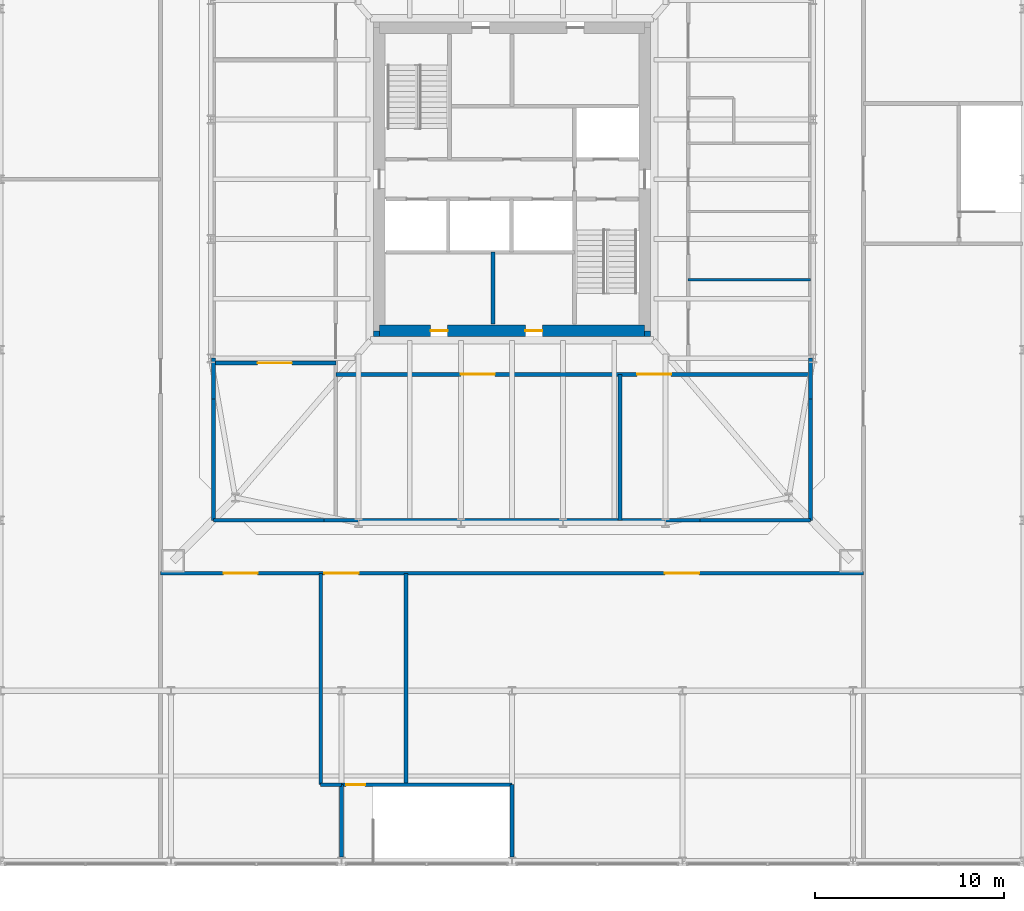
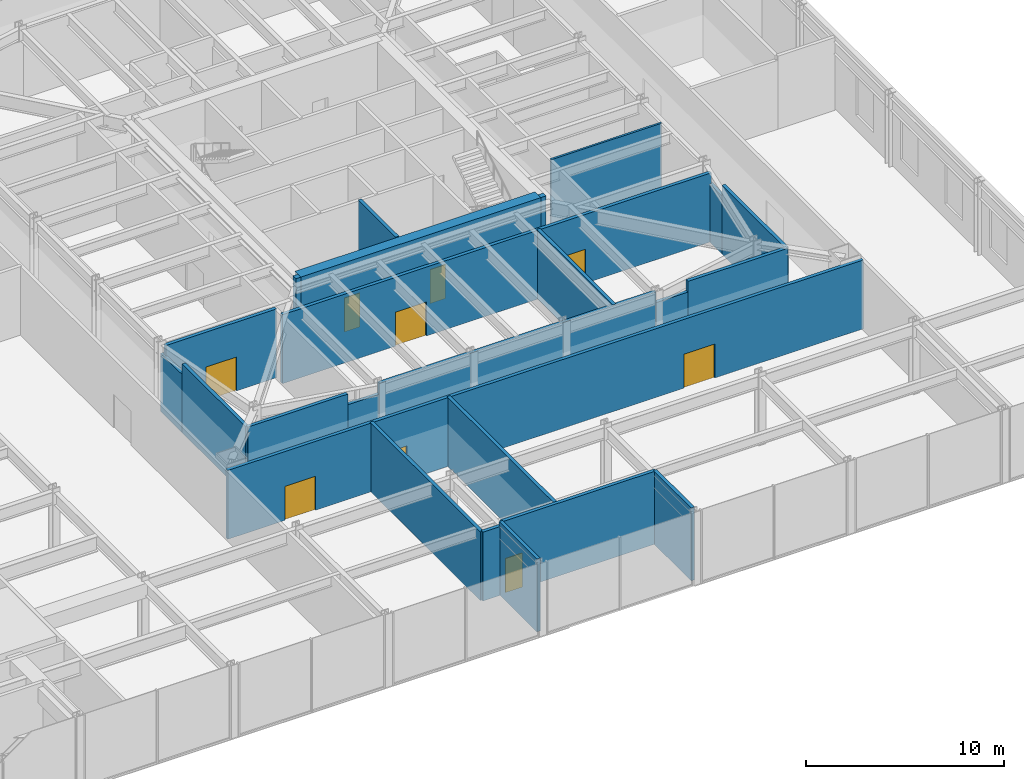
# One storey, part 23 of 30: 24 walls, 9 doors, 9 openings.
"""IFC4 building model written with IfcOpenShell, lengths in metres."""

from ifc_helpers import new_model, si_unit, direction, frame, frame_2d, origin, place, context, subcontext, project, spatial, rectangle, extrude, material, layer, layer_set, type_object, element, fill, save


model = new_model("IFC4")

# Units and contexts
model_context = context("Model", 3, precision=1e-05, world=origin(), true_north=direction((0.0, 1.0)))
body_context = subcontext(model_context, "Body", "Model", "MODEL_VIEW")
ifc_project = project(units=[si_unit("LENGTHUNIT", "METRE"), si_unit("AREAUNIT", "SQUARE_METRE"), si_unit("VOLUMEUNIT", "CUBIC_METRE"), si_unit("PLANEANGLEUNIT", "RADIAN"), si_unit("MASSUNIT", "GRAM", prefix="KILO")], contexts=[model_context])

# Site, building, storey
site_placement = place(None, origin())
site = spatial("IfcSite", under=ifc_project, at=site_placement, CompositionType="ELEMENT")
building_placement = place(site_placement, origin())
building = spatial("IfcBuilding", under=site, at=building_placement, Name="Iwan Alto Co-Living Towers", CompositionType="ELEMENT")
storey_placement = place(building_placement, frame((0.0, 0.0, 10.5)))
storey = spatial("IfcBuildingStorey", under=building, at=storey_placement, Name="L02", CompositionType="ELEMENT", Elevation=10.5)

# Wall
ifc_material_1 = material(Name="Concrete block masonry f*p 10 MPa", Category="masonry")
ifc_layer_1 = layer(ifc_material_1, 0.199951171875)
ifc_layer_set_1 = layer_set([ifc_layer_1], Name="PODIUM INTERNAL WALL 200")
wall_type_1 = type_object("IfcWallType", Name="PODIUM INTERNAL WALL 200", PredefinedType="SOLIDWALL", material=ifc_layer_set_1)
wall_1_placement = place(storey_placement, frame((52.89990234375, -31.9599609375, 0.0), z_axis=(0.0, 0.0, 1.0), x_axis=(1.0, 0.0, 0.0)))
element("IfcWall", 1, at=wall_1_placement, inside=storey, type_object=wall_type_1, Name="Partition L02", PredefinedType="SOLIDWALL", context=body_context, shape_type="SweptSolid", body=[
    extrude(rectangle(XDim=1.10009765625, YDim=0.199951171875, at=frame_2d((0.550048828125, 0.0))), origin(), (0.0, 0.0, 1.0), 4.25),
])

# Wall, openings, doors
wall_2_placement = place(storey_placement, frame((44.449951171875, -20.800048828125, 0.0), z_axis=(0.0, 0.0, 1.0), x_axis=(1.0, 0.0, 0.0)))
wall_2 = element("IfcWall", 2, at=wall_2_placement, inside=storey, type_object=wall_type_1, Name="Partition L02", PredefinedType="SOLIDWALL", context=body_context, shape_type="SweptSolid", body=[
    extrude(rectangle(XDim=37.10009765625, YDim=0.199951171875, at=frame_2d((18.550048828125, 0.0))), origin(), (0.0, 0.0, 1.0), 4.25),
])
opening_1_placement = place(wall_2_placement, frame((3.324951171875, 0.0, 0.0)))
opening_1 = element("IfcOpeningElement", 3, at=opening_1_placement, cuts=wall_2, Name="Opening D9", PredefinedType="OPENING", context=body_context, shape_type="SweptSolid", body=[
    extrude(rectangle(XDim=1.800048828125, YDim=2.10009765625, at=frame_2d((0.89990234375, 1.050048828125))), frame((0.0, 0.10986328125, 0.0), z_axis=(0.0, -1.0, 0.0), x_axis=(1.0, 0.0, 0.0)), (0.0, 0.0, 1.0), 0.219970703125),
])
opening_2_placement = place(wall_2_placement, frame((26.625, 0.0, 0.0)))
opening_2 = element("IfcOpeningElement", 4, at=opening_2_placement, cuts=wall_2, Name="Opening D9", PredefinedType="OPENING", context=body_context, shape_type="SweptSolid", body=[
    extrude(rectangle(XDim=1.800048828125, YDim=2.10009765625, at=frame_2d((0.89990234375, 1.050048828125))), frame((0.0, 0.10986328125, 0.0), z_axis=(0.0, -1.0, 0.0), x_axis=(1.0, 0.0, 0.0)), (0.0, 0.0, 1.0), 0.219970703125),
])
opening_3_placement = place(wall_2_placement, frame((8.64990234375, 0.0, 0.0)))
opening_3 = element("IfcOpeningElement", 5, at=opening_3_placement, cuts=wall_2, Name="Opening D9", PredefinedType="OPENING", context=body_context, shape_type="SweptSolid", body=[
    extrude(rectangle(XDim=1.800048828125, YDim=2.10009765625, at=frame_2d((0.89990234375, 1.050048828125))), frame((0.0, 0.10986328125, 0.0), z_axis=(0.0, -1.0, 0.0), x_axis=(1.0, 0.0, 0.0)), (0.0, 0.0, 1.0), 0.219970703125),
])
ifc_material_2 = material(Name="Steel frame with timber leaf", Category="steel")
door_type_1 = type_object("IfcDoorType", Name="LOUNGE DOOR FD30S 1800X2100", OperationType="DOUBLE_DOOR_SINGLE_SWING", PredefinedType="DOOR", material=ifc_material_2)
door_1_placement = place(opening_1_placement, frame((1.800048828125, 0.0, 0.0), z_axis=(0.0, 0.0, 1.0), x_axis=(-1.0, 0.0, 0.0)))
door_1 = element("IfcDoor", 6, at=door_1_placement, inside=storey, type_object=door_type_1, Name="Quiet study room door L02", OperationType="DOUBLE_DOOR_SINGLE_SWING", OverallHeight=2.10009765625, OverallWidth=1.800048828125, PredefinedType="DOOR", context=body_context, shape_type="SweptSolid", body=[
    extrude(rectangle(XDim=1.800048828125, YDim=2.10009765625, at=frame_2d((0.89990234375, 1.050048828125))), frame((0.0, 0.02490234375, 0.0), z_axis=(0.0, -1.0, 0.0), x_axis=(1.0, 0.0, 0.0)), (0.0, 0.0, 1.0), 0.050048828125),
])
fill(opening_1, door_1)
door_2_placement = place(opening_2_placement, frame((1.800048828125, 0.0, 0.0), z_axis=(0.0, 0.0, 1.0), x_axis=(-1.0, 0.0, 0.0)))
door_2 = element("IfcDoor", 7, at=door_2_placement, inside=storey, type_object=door_type_1, Name="Open-plan office door L02", OperationType="DOUBLE_DOOR_SINGLE_SWING", OverallHeight=2.10009765625, OverallWidth=1.800048828125, PredefinedType="DOOR", context=body_context, shape_type="SweptSolid", body=[
    extrude(rectangle(XDim=1.800048828125, YDim=2.10009765625, at=frame_2d((0.89990234375, 1.050048828125))), frame((0.0, 0.02490234375, 0.0), z_axis=(0.0, -1.0, 0.0), x_axis=(1.0, 0.0, 0.0)), (0.0, 0.0, 1.0), 0.050048828125),
])
fill(opening_2, door_2)
door_3_placement = place(opening_3_placement, frame((1.800048828125, 0.0, 0.0), z_axis=(0.0, 0.0, 1.0), x_axis=(-1.0, 0.0, 0.0)))
door_3 = element("IfcDoor", 8, at=door_3_placement, inside=storey, type_object=door_type_1, Name="Stair lobby door L02", OperationType="DOUBLE_DOOR_SINGLE_SWING", OverallHeight=2.10009765625, OverallWidth=1.800048828125, PredefinedType="DOOR", context=body_context, shape_type="SweptSolid", body=[
    extrude(rectangle(XDim=1.800048828125, YDim=2.10009765625, at=frame_2d((0.89990234375, 1.050048828125))), frame((0.0, 0.02490234375, 0.0), z_axis=(0.0, -1.0, 0.0), x_axis=(1.0, 0.0, 0.0)), (0.0, 0.0, 1.0), 0.050048828125),
])
fill(opening_3, door_3)

# Wall
wall_3_placement = place(storey_placement, frame((47.25, -18.0, 0.0), z_axis=(0.0, 0.0, 1.0), x_axis=(1.0, 0.0, 0.0)))
element("IfcWall", 9, at=wall_3_placement, inside=storey, type_object=wall_type_1, Name="Partition L02", PredefinedType="SOLIDWALL", context=body_context, shape_type="SweptSolid", body=[
    extrude(rectangle(XDim=5.823974609375, YDim=0.199951171875, at=frame_2d((2.912109375, 0.0))), origin(), (0.0, 0.0, 1.0), 4.25),
])

# Wall, openings, doors
wall_4_placement = place(storey_placement, frame((53.699951171875, -10.300048828125, 0.0), z_axis=(0.0, 0.0, 1.0), x_axis=(1.0, 0.0, 0.0)))
wall_4 = element("IfcWall", 10, at=wall_4_placement, inside=storey, type_object=wall_type_1, Name="Partition L02", PredefinedType="SOLIDWALL", context=body_context, shape_type="SweptSolid", body=[
    extrude(rectangle(XDim=25.050048828125, YDim=0.199951171875, at=frame_2d((12.52490234375, 0.0))), origin(), (0.0, 0.0, 1.0), 4.25),
])
opening_4_placement = place(wall_4_placement, frame((6.60009765625, 0.0, 0.0)))
opening_4 = element("IfcOpeningElement", 11, at=opening_4_placement, cuts=wall_4, Name="Opening D9", PredefinedType="OPENING", context=body_context, shape_type="SweptSolid", body=[
    extrude(rectangle(XDim=1.800048828125, YDim=2.10009765625, at=frame_2d((0.89990234375, 1.050048828125))), frame((0.0, 0.10986328125, 0.0), z_axis=(0.0, -1.0, 0.0), x_axis=(1.0, 0.0, 0.0)), (0.0, 0.0, 1.0), 0.219970703125),
])
opening_5_placement = place(wall_4_placement, frame((15.89990234375, 0.0, 0.0)))
opening_5 = element("IfcOpeningElement", 12, at=opening_5_placement, cuts=wall_4, Name="Opening D9", PredefinedType="OPENING", context=body_context, shape_type="SweptSolid", body=[
    extrude(rectangle(XDim=1.800048828125, YDim=2.10009765625, at=frame_2d((0.89990234375, 1.050048828125))), frame((0.0, 0.10986328125, 0.0), z_axis=(0.0, -1.0, 0.0), x_axis=(1.0, 0.0, 0.0)), (0.0, 0.0, 1.0), 0.219970703125),
])
door_4_placement = place(opening_4_placement, frame((1.800048828125, 0.0, 0.0), z_axis=(0.0, 0.0, 1.0), x_axis=(-1.0, 0.0, 0.0)))
door_4 = element("IfcDoor", 13, at=door_4_placement, inside=storey, type_object=door_type_1, Name="Co-working zone door L02", OperationType="DOUBLE_DOOR_SINGLE_SWING", OverallHeight=2.10009765625, OverallWidth=1.800048828125, PredefinedType="DOOR", context=body_context, shape_type="SweptSolid", body=[
    extrude(rectangle(XDim=1.800048828125, YDim=2.10009765625, at=frame_2d((0.89990234375, 1.050048828125))), frame((0.0, 0.02490234375, 0.0), z_axis=(0.0, -1.0, 0.0), x_axis=(1.0, 0.0, 0.0)), (0.0, 0.0, 1.0), 0.050048828125),
])
fill(opening_4, door_4)
door_5_placement = place(opening_5_placement, frame((1.800048828125, 0.0, 0.0), z_axis=(0.0, 0.0, 1.0), x_axis=(-1.0, 0.0, 0.0)))
door_5 = element("IfcDoor", 14, at=door_5_placement, inside=storey, type_object=door_type_1, Name="Meeting room door L02", OperationType="DOUBLE_DOOR_SINGLE_SWING", OverallHeight=2.10009765625, OverallWidth=1.800048828125, PredefinedType="DOOR", context=body_context, shape_type="SweptSolid", body=[
    extrude(rectangle(XDim=1.800048828125, YDim=2.10009765625, at=frame_2d((0.89990234375, 1.050048828125))), frame((0.0, 0.02490234375, 0.0), z_axis=(0.0, -1.0, 0.0), x_axis=(1.0, 0.0, 0.0)), (0.0, 0.0, 1.0), 0.050048828125),
])
fill(opening_5, door_5)

# Wall, opening, door
wall_5_placement = place(storey_placement, frame((47.25, -9.699951171875, 0.0), z_axis=(0.0, 0.0, 1.0), x_axis=(1.0, 0.0, 0.0)))
wall_5 = element("IfcWall", 15, at=wall_5_placement, inside=storey, type_object=wall_type_1, Name="Partition L02", PredefinedType="SOLIDWALL", context=body_context, shape_type="SweptSolid", body=[
    extrude(rectangle(XDim=6.449951171875, YDim=0.199951171875, at=frame_2d((3.22509765625, 0.0))), origin(), (0.0, 0.0, 1.0), 4.25),
])
opening_6_placement = place(wall_5_placement, frame((2.324951171875, 0.0, 0.0)))
opening_6 = element("IfcOpeningElement", 16, at=opening_6_placement, cuts=wall_5, Name="Opening D9", PredefinedType="OPENING", context=body_context, shape_type="SweptSolid", body=[
    extrude(rectangle(XDim=1.800048828125, YDim=2.10009765625, at=frame_2d((0.89990234375, 1.050048828125))), frame((0.0, 0.10986328125, 0.0), z_axis=(0.0, -1.0, 0.0), x_axis=(1.0, 0.0, 0.0)), (0.0, 0.0, 1.0), 0.219970703125),
])
door_6_placement = place(opening_6_placement, origin())
door_6 = element("IfcDoor", 17, at=door_6_placement, inside=storey, type_object=door_type_1, Name="Meeting room door L02", OperationType="DOUBLE_DOOR_SINGLE_SWING", OverallHeight=2.10009765625, OverallWidth=1.800048828125, PredefinedType="DOOR", context=body_context, shape_type="SweptSolid", body=[
    extrude(rectangle(XDim=1.800048828125, YDim=2.10009765625, at=frame_2d((0.89990234375, 1.050048828125))), frame((0.0, 0.02490234375, 0.0), z_axis=(0.0, -1.0, 0.0), x_axis=(1.0, 0.0, 0.0)), (0.0, 0.0, 1.0), 0.050048828125),
])
fill(opening_6, door_6)

# Walls
wall_6_placement = place(storey_placement, frame((78.75, -18.0, 0.0), z_axis=(0.0, 0.0, 1.0), x_axis=(0.0, 1.0, 0.0)))
element("IfcWall", 18, at=wall_6_placement, inside=storey, type_object=wall_type_1, Name="Partition L02", PredefinedType="SOLIDWALL", context=body_context, shape_type="SweptSolid", body=[
    extrude(rectangle(XDim=6.39794921875, YDim=0.199951171875, at=frame_2d((3.198974609375, 0.0))), origin(), (0.0, 0.0, 1.0), 4.25),
])
wall_7_placement = place(storey_placement, frame((68.699951171875, -18.0, 0.0), z_axis=(0.0, 0.0, 1.0), x_axis=(0.0, 1.0, 0.0)))
element("IfcWall", 19, at=wall_7_placement, inside=storey, type_object=wall_type_1, Name="Partition L02", PredefinedType="SOLIDWALL", context=body_context, shape_type="SweptSolid", body=[
    extrude(rectangle(XDim=7.699951171875, YDim=0.199951171875, at=frame_2d((3.85009765625, 0.0))), origin(), (0.0, 0.0, 1.0), 4.25),
])
for number, where, z_axis, x_axis, name in (
    (20, (57.39990234375, -31.9599609375, 0.0), (0.0, 0.0, 1.0), (0.0, 1.0, 0.0), "Partition L02"),
    (21, (52.89990234375, -31.9599609375, 0.0), (0.0, 0.0, 1.0), (0.0, 1.0, 0.0), "Partition L02"),
):
    element("IfcWall", number, at=place(storey_placement, frame(where, z_axis=z_axis, x_axis=x_axis)), inside=storey, type_object=wall_type_1, Name=name, PredefinedType="SOLIDWALL", context=body_context, shape_type="SweptSolid", body=[
        extrude(rectangle(XDim=11.159912109375, YDim=0.199951171875, at=frame_2d((5.580078125, 0.0))), origin(), (0.0, 0.0, 1.0), 4.25),
    ])
wall_8_placement = place(storey_placement, frame((47.25, -18.0, 0.0), z_axis=(0.0, 0.0, 1.0), x_axis=(0.0, 1.0, 0.0)))
element("IfcWall", 22, at=wall_8_placement, inside=storey, type_object=wall_type_1, Name="Partition L02", PredefinedType="SOLIDWALL", context=body_context, shape_type="SweptSolid", body=[
    extrude(rectangle(XDim=6.39794921875, YDim=0.199951171875, at=frame_2d((3.198974609375, 0.0))), origin(), (0.0, 0.0, 1.0), 4.25),
])
wall_9_placement = place(storey_placement, frame((53.073974609375, -18.0, 0.0), z_axis=(0.0, 0.0, 1.0), x_axis=(1.0, 0.0, 0.0)))
element("IfcWall", 23, at=wall_9_placement, inside=storey, type_object=wall_type_1, Name="Partition L02", PredefinedType="SOLIDWALL", context=body_context, shape_type="SweptSolid", body=[
    extrude(rectangle(XDim=1.85205078125, YDim=0.199951171875, at=frame_2d((0.926025390625, 0.0))), origin(), (0.0, 0.0, 1.0), 3.586669921875),
])
wall_10_placement = place(storey_placement, frame((54.926025390625, -18.0, 0.0), z_axis=(0.0, 0.0, 1.0), x_axis=(1.0, 0.0, 0.0)))
element("IfcWall", 24, at=wall_10_placement, inside=storey, type_object=wall_type_1, Name="Partition L02", PredefinedType="SOLIDWALL", context=body_context, shape_type="SweptSolid", body=[
    extrude(rectangle(XDim=16.14794921875, YDim=0.199951171875, at=frame_2d((8.073974609375, 0.0))), origin(), (0.0, 0.0, 1.0), 4.25),
])
wall_11_placement = place(storey_placement, frame((71.073974609375, -18.0, 0.0), z_axis=(0.0, 0.0, 1.0), x_axis=(1.0, 0.0, 0.0)))
element("IfcWall", 25, at=wall_11_placement, inside=storey, type_object=wall_type_1, Name="Partition L02", PredefinedType="SOLIDWALL", context=body_context, shape_type="SweptSolid", body=[
    extrude(rectangle(XDim=1.85205078125, YDim=0.199951171875, at=frame_2d((0.926025390625, 0.0))), origin(), (0.0, 0.0, 1.0), 3.586669921875),
])
wall_12_placement = place(storey_placement, frame((72.926025390625, -18.0, 0.0), z_axis=(0.0, 0.0, 1.0), x_axis=(1.0, 0.0, 0.0)))
element("IfcWall", 26, at=wall_12_placement, inside=storey, type_object=wall_type_1, Name="Partition L02", PredefinedType="SOLIDWALL", context=body_context, shape_type="SweptSolid", body=[
    extrude(rectangle(XDim=5.823974609375, YDim=0.199951171875, at=frame_2d((2.912109375, 0.0))), origin(), (0.0, 0.0, 1.0), 4.25),
])
for number, where, z_axis, x_axis, name in (
    (27, (78.75, -11.60205078125, 0.0), (0.0, 0.0, 1.0), (0.0, 1.0, 0.0), "Partition L02"),
    (28, (47.25, -11.60205078125, 0.0), (0.0, 0.0, 1.0), (0.0, 1.0, 0.0), "Partition L02"),
):
    element("IfcWall", number, at=place(storey_placement, frame(where, z_axis=z_axis, x_axis=x_axis)), inside=storey, type_object=wall_type_1, Name=name, PredefinedType="SOLIDWALL", context=body_context, shape_type="SweptSolid", body=[
        extrude(rectangle(XDim=2.174072265625, YDim=0.199951171875, at=frame_2d((1.0869140625, 0.0))), origin(), (0.0, 0.0, 1.0), 3.586669921875),
    ])

# Wall, opening, door
ifc_material_3 = material(Name="Concrete f'c 70 MPa", Category="concrete")
ifc_layer_2 = layer(ifc_material_3, 0.199951171875)
ifc_layer_set_2 = layer_set([ifc_layer_2], Name="SHAFT WALL 200")
wall_type_2 = type_object("IfcWallType", Name="SHAFT WALL 200", PredefinedType="SOLIDWALL", material=ifc_layer_set_2)
wall_13_placement = place(storey_placement, frame((54.0, -31.9599609375, 0.0), z_axis=(0.0, 0.0, 1.0), x_axis=(1.0, 0.0, 0.0)))
wall_13 = element("IfcWall", 29, at=wall_13_placement, inside=storey, type_object=wall_type_2, Name="Shaft wall L02", PredefinedType="SOLIDWALL", context=body_context, shape_type="SweptSolid", body=[
    extrude(rectangle(XDim=9.0, YDim=0.199951171875, at=frame_2d((4.5, 0.0))), origin(), (0.0, 0.0, 1.0), 4.5),
])
opening_7_placement = place(wall_13_placement, frame((0.25, 0.0, 0.0)))
opening_7 = element("IfcOpeningElement", 30, at=opening_7_placement, cuts=wall_13, Name="Opening D5", PredefinedType="OPENING", context=body_context, shape_type="SweptSolid", body=[
    extrude(rectangle(XDim=1.0, YDim=2.10009765625, at=frame_2d((0.5, 1.050048828125))), frame((0.0, 0.10986328125, 0.0), z_axis=(0.0, -1.0, 0.0), x_axis=(1.0, 0.0, 0.0)), (0.0, 0.0, 1.0), 0.219970703125),
])
ifc_material_4 = material(Name="Steel frame with timber leaf", Category="steel")
door_type_2 = type_object("IfcDoorType", Name="STAIR DOOR FD120S 1000X2100", OperationType="SINGLE_SWING_LEFT", PredefinedType="DOOR", material=ifc_material_4)
door_7_placement = place(opening_7_placement, frame((1.0, 0.0, 0.0), z_axis=(0.0, 0.0, 1.0), x_axis=(-1.0, 0.0, 0.0)))
door_7 = element("IfcDoor", 31, at=door_7_placement, inside=storey, type_object=door_type_2, Name="Stair PS6 door L02", OperationType="SINGLE_SWING_RIGHT", OverallHeight=2.10009765625, OverallWidth=1.0, PredefinedType="DOOR", context=body_context, shape_type="SweptSolid", body=[
    extrude(rectangle(XDim=1.0, YDim=2.10009765625, at=frame_2d((0.5, 1.050048828125))), frame((0.0, 0.02490234375, 0.0), z_axis=(0.0, -1.0, 0.0), x_axis=(1.0, 0.0, 0.0)), (0.0, 0.0, 1.0), 0.050048828125),
])
fill(opening_7, door_7)

# Walls
wall_14_placement = place(storey_placement, frame((63.0, -35.78271484375, 0.0), z_axis=(0.0, 0.0, 1.0), x_axis=(0.0, 1.0, 0.0)))
element("IfcWall", 32, at=wall_14_placement, inside=storey, type_object=wall_type_2, Name="Shaft wall L02", PredefinedType="SOLIDWALL", context=body_context, shape_type="SweptSolid", body=[
    extrude(rectangle(XDim=3.82275390625, YDim=0.199951171875, at=frame_2d((1.911376953125, 0.0))), origin(), (0.0, 0.0, 1.0), 4.5),
])
wall_15_placement = place(storey_placement, frame((62.0, -7.639892578125, 0.0), z_axis=(0.0, 0.0, 1.0), x_axis=(0.0, 1.0, 0.0)))
element("IfcWall", 33, at=wall_15_placement, inside=storey, type_object=wall_type_2, Name="Shaft wall L02", PredefinedType="SOLIDWALL", context=body_context, shape_type="SweptSolid", body=[
    extrude(rectangle(XDim=3.789794921875, YDim=0.199951171875, at=frame_2d((1.89501953125, 0.0))), origin(), (0.0, 0.0, 1.0), 4.5),
])
wall_16_placement = place(storey_placement, frame((54.0, -35.78271484375, 0.0), z_axis=(0.0, 0.0, 1.0), x_axis=(0.0, 1.0, 0.0)))
element("IfcWall", 34, at=wall_16_placement, inside=storey, type_object=wall_type_2, Name="Shaft wall L02", PredefinedType="SOLIDWALL", context=body_context, shape_type="SweptSolid", body=[
    extrude(rectangle(XDim=3.82275390625, YDim=0.199951171875, at=frame_2d((1.911376953125, 0.0))), origin(), (0.0, 0.0, 1.0), 4.5),
])
ifc_material_5 = material(Name="Concrete f'c 70 MPa", Category="concrete")
ifc_layer_3 = layer(ifc_material_5, 0.300048828125)
ifc_layer_set_3 = layer_set([ifc_layer_3], Name="T2 CORE CORNER FILL 300")
wall_type_3 = type_object("IfcWallType", Name="T2 CORE CORNER FILL 300", PredefinedType="SOLIDWALL", material=ifc_layer_set_3)
for number, where, z_axis, x_axis, name in (
    (35, (55.699951171875, -8.14990234375, 0.0), (0.0, 0.0, 1.0), (1.0, 0.0, 0.0), "T2 core corner SW L02"),
    (36, (70.0, -8.14990234375, 0.0), (0.0, 0.0, 1.0), (1.0, 0.0, 0.0), "T2 core corner SE L02"),
):
    element("IfcWall", number, at=place(storey_placement, frame(where, z_axis=z_axis, x_axis=x_axis)), inside=storey, type_object=wall_type_3, Name=name, PredefinedType="SOLIDWALL", context=body_context, shape_type="SweptSolid", body=[
        extrude(rectangle(XDim=0.300048828125, YDim=0.300048828125, at=frame_2d((0.14990234375, 0.0))), origin(), (0.0, 0.0, 1.0), 4.5),
    ])

# Wall, openings, doors
ifc_material_6 = material(Name="Concrete f'c 70 MPa", Category="concrete")
ifc_layer_4 = layer(ifc_material_6, 0.60009765625)
ifc_layer_set_4 = layer_set([ifc_layer_4], Name="T2 CORE WALL 600")
wall_type_4 = type_object("IfcWallType", Name="T2 CORE WALL 600", PredefinedType="SHEAR", material=ifc_layer_set_4)
wall_17_placement = place(storey_placement, frame((56.0, -8.0, 0.0), z_axis=(0.0, 0.0, 1.0), x_axis=(1.0, 0.0, 0.0)))
wall_17 = element("IfcWall", 37, at=wall_17_placement, inside=storey, type_object=wall_type_4, Name="T2 core wall S L02", PredefinedType="SHEAR", context=body_context, shape_type="SweptSolid", body=[
    extrude(rectangle(XDim=14.0, YDim=0.60009765625, at=frame_2d((7.0, 0.0))), origin(), (0.0, 0.0, 1.0), 4.5),
])
opening_8_placement = place(wall_17_placement, frame((2.699951171875, 0.0, 0.0)))
opening_8 = element("IfcOpeningElement", 38, at=opening_8_placement, cuts=wall_17, Name="Opening D8", PredefinedType="OPENING", context=body_context, shape_type="SweptSolid", body=[
    extrude(rectangle(XDim=0.89990234375, YDim=2.10009765625, at=frame_2d((0.449951171875, 1.050048828125))), frame((0.0, 0.31005859375, 0.0), z_axis=(0.0, -1.0, 0.0), x_axis=(1.0, 0.0, 0.0)), (0.0, 0.0, 1.0), 0.6201171875),
])
opening_9_placement = place(wall_17_placement, frame((7.699951171875, 0.0, 0.0)))
opening_9 = element("IfcOpeningElement", 39, at=opening_9_placement, cuts=wall_17, Name="Opening D8", PredefinedType="OPENING", context=body_context, shape_type="SweptSolid", body=[
    extrude(rectangle(XDim=0.89990234375, YDim=2.10009765625, at=frame_2d((0.449951171875, 1.050048828125))), frame((0.0, 0.31005859375, 0.0), z_axis=(0.0, -1.0, 0.0), x_axis=(1.0, 0.0, 0.0)), (0.0, 0.0, 1.0), 0.6201171875),
])
ifc_material_7 = material(Name="Steel frame with timber leaf", Category="steel")
door_type_3 = type_object("IfcDoorType", Name="RISER DOOR FD120 900X2100", OperationType="SINGLE_SWING_LEFT", PredefinedType="DOOR", material=ifc_material_7)
door_8_placement = place(opening_8_placement, origin())
door_8 = element("IfcDoor", 40, at=door_8_placement, inside=storey, type_object=door_type_3, Name="Refuse room core door L02", OperationType="SINGLE_SWING_LEFT", OverallHeight=2.10009765625, OverallWidth=0.89990234375, PredefinedType="DOOR", context=body_context, shape_type="SweptSolid", body=[
    extrude(rectangle(XDim=0.89990234375, YDim=2.10009765625, at=frame_2d((0.449951171875, 1.050048828125))), frame((0.0, 0.02490234375, 0.0), z_axis=(0.0, -1.0, 0.0), x_axis=(1.0, 0.0, 0.0)), (0.0, 0.0, 1.0), 0.050048828125),
])
fill(opening_8, door_8)
door_9_placement = place(opening_9_placement, origin())
door_9 = element("IfcDoor", 41, at=door_9_placement, inside=storey, type_object=door_type_3, Name="Telecom riser core door L02", OperationType="SINGLE_SWING_LEFT", OverallHeight=2.10009765625, OverallWidth=0.89990234375, PredefinedType="DOOR", context=body_context, shape_type="SweptSolid", body=[
    extrude(rectangle(XDim=0.89990234375, YDim=2.10009765625, at=frame_2d((0.449951171875, 1.050048828125))), frame((0.0, 0.02490234375, 0.0), z_axis=(0.0, -1.0, 0.0), x_axis=(1.0, 0.0, 0.0)), (0.0, 0.0, 1.0), 0.050048828125),
])
fill(opening_9, door_9)

# Wall
ifc_material_8 = material(Name="Cement board")
ifc_layer_5 = layer(ifc_material_8, 0.012451171875, Name="Board", Category="Finish")
ifc_material_9 = material(Name="Steel ASTM A1003 ST33H cold-formed studs", Category="steel")
ifc_layer_6 = layer(ifc_material_9, 0.094970703125, Name="Studs", Category="Framing")
ifc_layer_7 = layer(ifc_material_8, 0.012451171875, Name="Board", Category="Finish")
ifc_layer_set_5 = layer_set([ifc_layer_5, ifc_layer_6, ifc_layer_7], Name="WET AREA PARTITION 120")
wall_type_5 = type_object("IfcWallType", Name="WET AREA PARTITION 120", PredefinedType="PARTITIONING", material=ifc_layer_set_5)
wall_18_placement = place(storey_placement, frame((72.300048828125, -5.300048828125, 0.0), z_axis=(0.0, 0.0, 1.0), x_axis=(1.0, 0.0, 0.0)))
element("IfcWall", 42, at=wall_18_placement, inside=storey, type_object=wall_type_5, Name="Partition L02", PredefinedType="PARTITIONING", context=body_context, shape_type="SweptSolid", body=[
    extrude(rectangle(XDim=6.449951171875, YDim=0.1201171875, at=frame_2d((3.22509765625, 0.0))), origin(), (0.0, 0.0, 1.0), 4.25),
])

save(model, "model.ifc")
